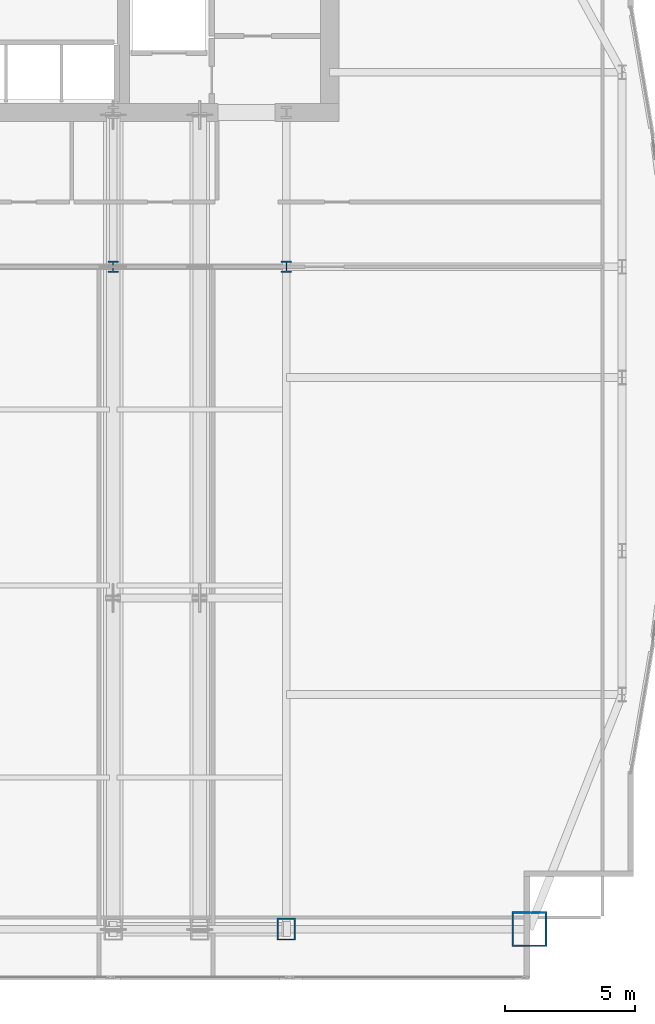
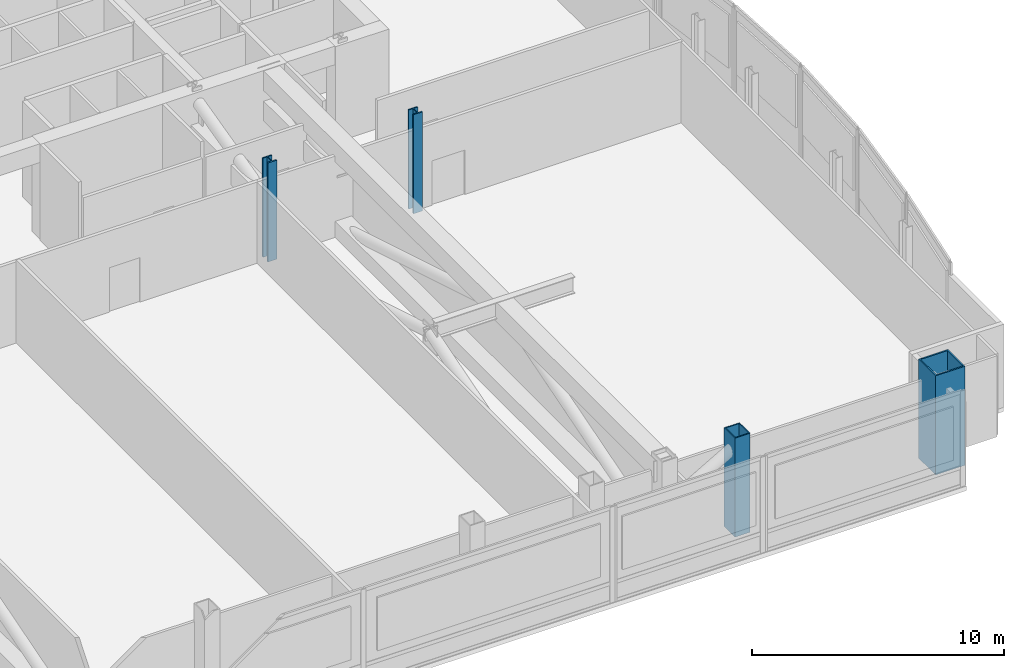
# One storey, part 2 of 30: 4 columns.
"""IFC4 building model written with IfcOpenShell, lengths in metres."""

from ifc_helpers import new_model, si_unit, direction, frame, origin, origin_2d, place, context, subcontext, project, spatial, hollow_rectangle, i_section, extrude, material, material_profile, profile_set, type_object, element, save


model = new_model("IFC4")

# Units and contexts
model_context = context("Model", 3, precision=1e-05, world=origin(), true_north=direction((0.0, 1.0)))
body_context = subcontext(model_context, "Body", "Model", "MODEL_VIEW")
ifc_project = project(units=[si_unit("LENGTHUNIT", "METRE"), si_unit("AREAUNIT", "SQUARE_METRE"), si_unit("VOLUMEUNIT", "CUBIC_METRE"), si_unit("PLANEANGLEUNIT", "RADIAN"), si_unit("MASSUNIT", "GRAM", prefix="KILO")], contexts=[model_context])

# Site, building, storey
site_placement = place(None, origin())
site = spatial("IfcSite", under=ifc_project, at=site_placement, CompositionType="ELEMENT")
building_placement = place(site_placement, origin())
building = spatial("IfcBuilding", under=site, at=building_placement, Name="Khoronbel Lancet Exchange", CompositionType="ELEMENT")
storey_placement = place(building_placement, frame((0.0, 0.0, 172.199951171875)))
storey = spatial("IfcBuildingStorey", under=building, at=storey_placement, Name="L43", CompositionType="ELEMENT", Elevation=172.199951171875)

# Columns
ifc_material = material(Name="Steel S460", Category="steel")
ifc_material_profile_1 = material_profile(ifc_material, hollow_rectangle(XDim=0.699951171875, YDim=0.85009765625, WallThickness=0.050048828125, at=origin_2d()), Name="BOX 850x700x50")
ifc_profile_set_1 = profile_set([ifc_material_profile_1], Name="Steel S460")
column_type_1 = type_object("IfcColumnType", Name="COL-EC2", PredefinedType="COLUMN", material=ifc_profile_set_1)
column_1_placement = place(storey_placement, frame((54.675048828125, 10.14990234375, 0.0), z_axis=(0.0, 0.0, 1.0), x_axis=(1.0, 0.0, 0.0)))
element("IfcColumn", 1, at=column_1_placement, inside=storey, type_object=column_type_1, Name="Structural column SC-E2 L43", PredefinedType="COLUMN", context=body_context, shape_type="SweptSolid", body=[
    extrude(hollow_rectangle(XDim=0.699951171875, YDim=0.85009765625, WallThickness=0.050048828125, at=origin_2d()), origin(), (0.0, 0.0, 1.0), 4.800048828125),
])
ifc_material_profile_2 = material_profile(ifc_material, i_section(OverallWidth=0.416015625, OverallDepth=0.446044921875, WebThickness=0.0390625, FlangeThickness=0.062744140625, at=origin_2d()), Name="HD 400x509")
ifc_profile_set_2 = profile_set([ifc_material_profile_2], Name="Steel S460")
column_type_2 = type_object("IfcColumnType", Name="COL-IC2", PredefinedType="COLUMN", material=ifc_profile_set_2)
for number, where, z_axis, x_axis, name in (
    (2, (48.0, 35.699951171875, 0.0), (0.0, 0.0, 1.0), (1.0, 0.0, 0.0), "Spine gravity column TC3 L43"),
    (3, (54.675048828125, 35.699951171875, 0.0), (0.0, 0.0, 1.0), (1.0, 0.0, 0.0), "Spine gravity column TC4 L43"),
):
    element("IfcColumn", number, at=place(storey_placement, frame(where, z_axis=z_axis, x_axis=x_axis)), inside=storey, type_object=column_type_2, Name=name, PredefinedType="COLUMN", context=body_context, shape_type="SweptSolid", body=[
        extrude(i_section(OverallWidth=0.416015625, OverallDepth=0.446044921875, WebThickness=0.0390625, FlangeThickness=0.062744140625, at=origin_2d()), origin(), (0.0, 0.0, 1.0), 4.800048828125),
    ])
ifc_material_profile_3 = material_profile(ifc_material, hollow_rectangle(XDim=1.35009765625, YDim=1.35009765625, WallThickness=0.06494140625, at=origin_2d()), Name="BOX 1350x1350x65")
ifc_profile_set_3 = profile_set([ifc_material_profile_3], Name="Steel S460")
column_type_3 = type_object("IfcColumnType", Name="COL-MC4", PredefinedType="COLUMN", material=ifc_profile_set_3)
column_2_placement = place(storey_placement, frame((64.050048828125, 10.14990234375, 0.0), z_axis=(0.0, 0.0, 1.0), x_axis=(1.0, 0.0, 0.0)))
element("IfcColumn", 4, at=column_2_placement, inside=storey, type_object=column_type_3, Name="Structural column MC-SE L43", PredefinedType="COLUMN", context=body_context, shape_type="SweptSolid", body=[
    extrude(hollow_rectangle(XDim=1.35009765625, YDim=1.35009765625, WallThickness=0.06494140625, at=origin_2d()), origin(), (0.0, 0.0, 1.0), 4.800048828125),
])

save(model, "model.ifc")
